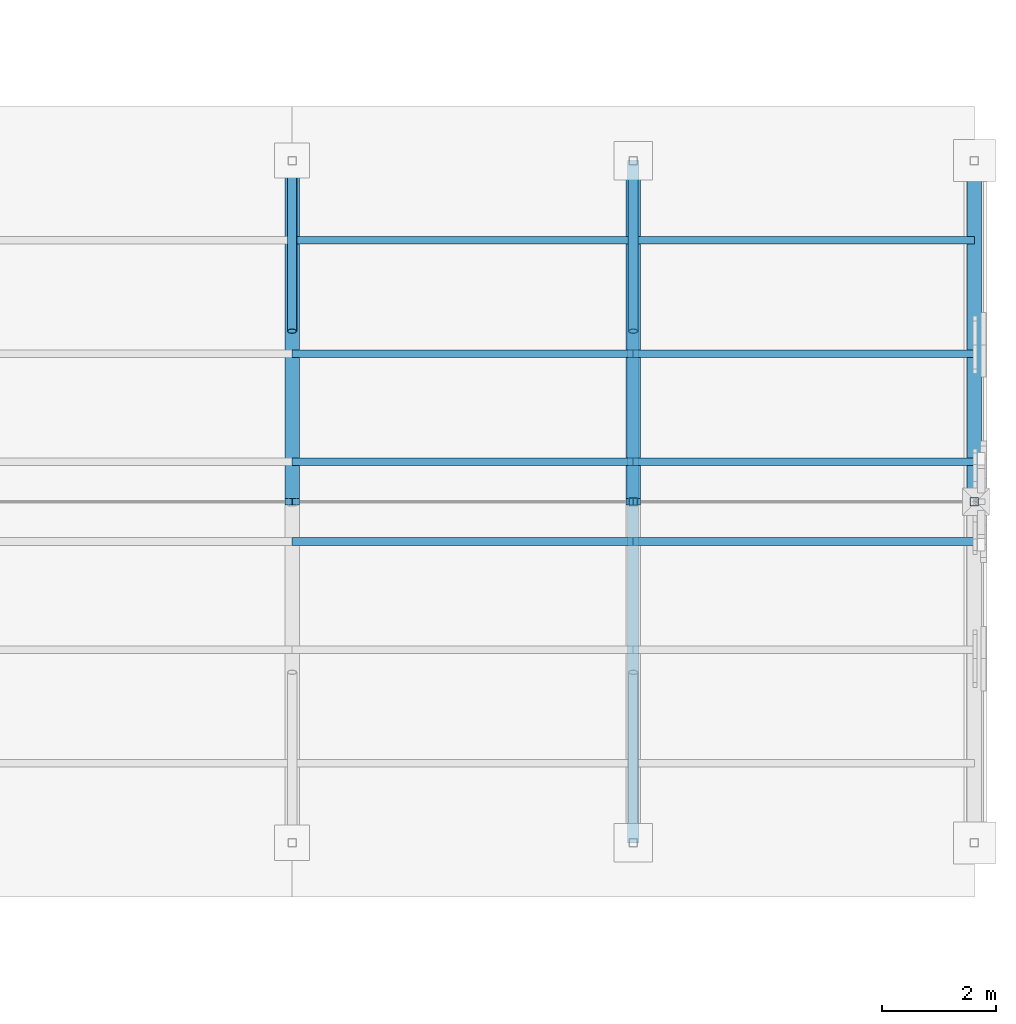
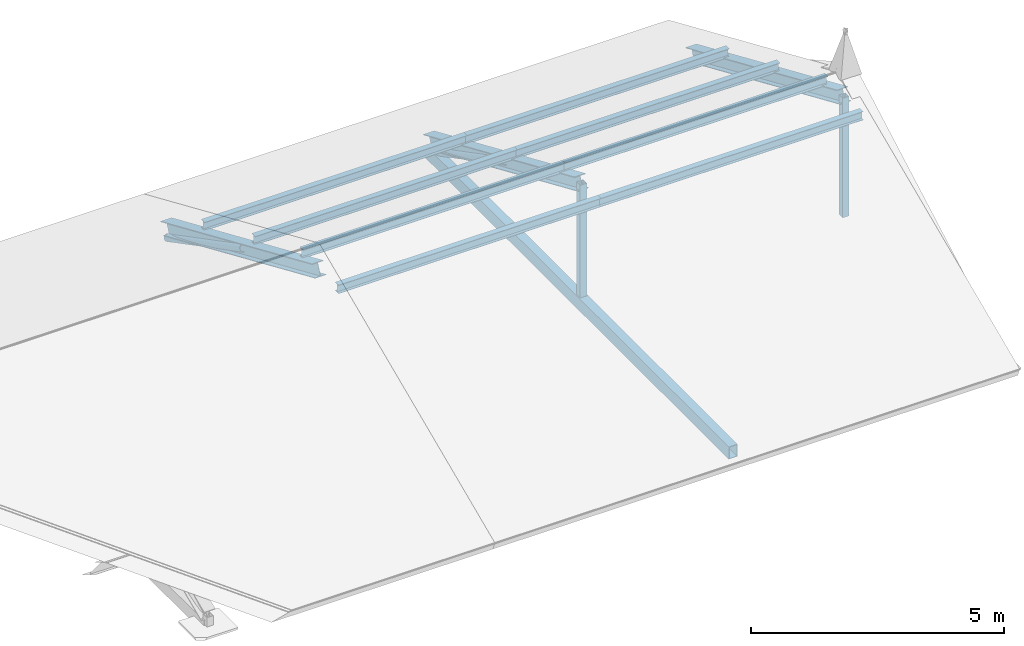
# One storey, part 30 of 59: 16 members.
"""IFC4 building model written with IfcOpenShell, lengths in metres."""

import ifcopenshell
import ifcopenshell.guid

model = None  # the IFC model being written
_history = None  # IfcOwnerHistory: only IFC2X3 demands one
_inside = {}  # id of a spatial element -> (the spatial element, [elements in it])
_under = {}  # id of a project, library or spatial element -> (it, [spatial elements below it])
_declared = {}  # id of a project -> (the project, [libraries it declares])
_typed = {}  # id of a type object -> (the type object, [elements of that type])
_made_of = {}  # id of a material, layer set ... -> (it, [elements and type objects made of it])


def new_model(schema):
    """Start an empty IFC model of exactly this schema.

    Asked for "IFC4X3", IfcOpenShell would pick the latest addendum, in which some entities
    have other attributes; the version numbers below select the first issue.
    IFC2X3 requires an IfcOwnerHistory on every rooted entity: one is made here for all.
    """
    global model, _history
    if schema == "IFC4X3":
        model = ifcopenshell.file(schema_version=(4, 3, 0, 0))
    else:
        model = ifcopenshell.file(schema=schema)
    _inside.clear()
    _under.clear()
    _declared.clear()
    _typed.clear()
    _made_of.clear()
    _history = None
    if model.schema == "IFC2X3":
        org = make("IfcOrganization", Name="unknown")
        user = make(
            "IfcPersonAndOrganization",
            ThePerson=make("IfcPerson", FamilyName="unknown"),
            TheOrganization=org,
        )
        app = make(
            "IfcApplication",
            ApplicationDeveloper=org,
            Version="unknown",
            ApplicationFullName="unknown",
            ApplicationIdentifier="unknown",
        )
        _history = make(
            "IfcOwnerHistory",
            OwningUser=user,
            OwningApplication=app,
            ChangeAction="ADDED",
            CreationDate=0,
        )
    return model


def make(cls, **values):
    """One entity of the class cls with the attributes given. An attribute that is None is left unset."""
    return model.create_entity(
        cls, **{name: value for name, value in values.items() if value is not None}
    )


def rooted(cls, **values):
    """An entity with a GlobalId (a new one), such as an element, a storey or a relation."""
    return make(cls, GlobalId=ifcopenshell.guid.new(), OwnerHistory=_history, **values)


def si_unit(unit_type, name, prefix=None):
    """IfcSIUnit, for example si_unit("LENGTHUNIT", "METRE", prefix="MILLI")."""
    return make("IfcSIUnit", UnitType=unit_type, Prefix=prefix, Name=name)


def assignment(units):
    """IfcUnitAssignment: the units of a project."""
    return None if units is None else make("IfcUnitAssignment", Units=units)


def point(xyz):
    """IfcCartesianPoint."""
    return None if xyz is None else make("IfcCartesianPoint", Coordinates=xyz)


def direction(xyz):
    """IfcDirection."""
    return None if xyz is None else make("IfcDirection", DirectionRatios=xyz)


def frame(location, z_axis=None, x_axis=None):
    """IfcAxis2Placement3D, a coordinate frame: its origin and axes. An axis left out is left unset."""
    return make(
        "IfcAxis2Placement3D",
        Location=point(location),
        Axis=direction(z_axis),
        RefDirection=direction(x_axis),
    )


def frame_2d(location, x_axis=None):
    """IfcAxis2Placement2D, a coordinate frame in the plane: its origin and x axis."""
    return make(
        "IfcAxis2Placement2D", Location=point(location), RefDirection=direction(x_axis)
    )


def origin():
    """The frame at (0, 0, 0) with its axes left unset."""
    return frame((0.0, 0.0, 0.0))


def origin_2d():
    """The frame at (0, 0) in the plane with its x axis left unset."""
    return frame_2d((0.0, 0.0))


def place(relative_to, where):
    """IfcLocalPlacement: puts the frame where relative to a parent placement (None: the world)."""
    return make(
        "IfcLocalPlacement", PlacementRelTo=relative_to, RelativePlacement=where
    )


def context(
    kind, dimensions, precision=None, world=None, true_north=None, identifier=None
):
    """IfcGeometricRepresentationContext, for example the 3D "Model" context."""
    return make(
        "IfcGeometricRepresentationContext",
        ContextIdentifier=identifier,
        ContextType=kind,
        CoordinateSpaceDimension=dimensions,
        Precision=precision,
        WorldCoordinateSystem=world,
        TrueNorth=true_north,
    )


def subcontext(parent, identifier, kind, view, scale=None):
    """IfcGeometricRepresentationSubContext, for example "Body" below "Model"."""
    return make(
        "IfcGeometricRepresentationSubContext",
        ContextIdentifier=identifier,
        ContextType=kind,
        ParentContext=parent,
        TargetScale=scale,
        TargetView=view,
    )


def project(units=None, contexts=None):
    """IfcProject with its units and contexts."""
    return rooted(
        "IfcProject",
        Name="project",
        RepresentationContexts=contexts,
        UnitsInContext=assignment(units),
    )


def spatial(cls, under=None, at=None, **own):
    """A site, building, storey or space (cls), placed at a placement, below another one or the project."""
    s = rooted(cls, ObjectPlacement=at, **own)
    if under is not None:
        _under.setdefault(under.id(), (under, []))[1].append(s)
    return s


def profile(cls, at=None, kind="AREA", **sizes):
    """A parametric profile (cls). Its sizes go by their IFC names, for example OverallWidth=200.0."""
    return make(cls, ProfileType=kind, Position=at, **sizes)


def hollow_rectangle(**sizes):
    """IfcRectangleHollowProfileDef."""
    return profile("IfcRectangleHollowProfileDef", **sizes)


def hollow_circle(**sizes):
    """IfcCircleHollowProfileDef."""
    return profile("IfcCircleHollowProfileDef", **sizes)


def i_section(**sizes):
    """IfcIShapeProfileDef."""
    return profile("IfcIShapeProfileDef", **sizes)


def extrude(swept, where, along, depth):
    """IfcExtrudedAreaSolid: the profile swept, set in the frame where, extruded along a direction by depth."""
    return make(
        "IfcExtrudedAreaSolid",
        SweptArea=swept,
        Position=where,
        ExtrudedDirection=direction(along),
        Depth=depth,
    )


def shape(context_of_items, identifier, shape_type, items):
    """IfcShapeRepresentation: the items that make up one representation, for example the "Body"."""
    return make(
        "IfcShapeRepresentation",
        ContextOfItems=context_of_items,
        RepresentationIdentifier=identifier,
        RepresentationType=shape_type,
        Items=items,
    )


def material(Name=None, Category=None):
    """IfcMaterial."""
    return make("IfcMaterial", Name=Name, Category=Category)


def material_profile(
    of_material, cross_section, Name=None, Category=None, Priority=None
):
    """IfcMaterialProfile: a cross section and its material."""
    return make(
        "IfcMaterialProfile",
        Name=Name,
        Material=of_material,
        Profile=cross_section,
        Priority=Priority,
        Category=Category,
    )


def profile_set(profiles, Name=None, composite=None):
    """IfcMaterialProfileSet."""
    return make(
        "IfcMaterialProfileSet",
        Name=Name,
        MaterialProfiles=profiles,
        CompositeProfile=composite,
    )


def made_of(thing, what):
    """Note that an element or type object is made of a material, layer set ...; save() writes the relation."""
    if what is not None:
        _made_of.setdefault(what.id(), (what, []))[1].append(thing)
    return thing


def type_object(cls, material=None, **own):
    """A type object (cls), such as IfcWallType, which elements share."""
    return made_of(rooted(cls, **own), material)


def element(
    cls,
    number,
    at=None,
    inside=None,
    cuts=None,
    type_object=None,
    material=None,
    context=None,
    identifier="Body",
    shape_type=None,
    held_by="IfcProductDefinitionShape",
    body=None,
    shapes=None,
    **own,
):
    """One element of the class cls, such as IfcWall. Its Tag is "e" and its number.

    at: its placement. inside: the storey or other place that contains it. cuts: it is an
    opening in that element (IfcRelVoidsElement). A single representation is given by context,
    identifier, shape_type and body (its items); several are given by shapes. held_by: the class
    of the entity that holds the representations. save() writes the other relations.
    """
    e = rooted(cls, Tag="e%d" % number, ObjectPlacement=at, **own)
    if body is not None:
        shapes = [shape(context, identifier, shape_type, body)]
    if shapes is not None:
        e.Representation = make(held_by, Representations=shapes)
    if inside is not None:
        _inside.setdefault(inside.id(), (inside, []))[1].append(e)
    if cuts is not None:
        rooted(
            "IfcRelVoidsElement", RelatingBuildingElement=cuts, RelatedOpeningElement=e
        )
    if type_object is not None:
        _typed.setdefault(type_object.id(), (type_object, []))[1].append(e)
    return made_of(e, material)


def aggregate(whole, parts):
    """IfcRelAggregates: a whole, such as a stair, and the parts it consists of."""
    return rooted("IfcRelAggregates", RelatingObject=whole, RelatedObjects=parts)


def save(model, path):
    """Write the relations noted so far, then the file.

    IfcRelAggregates (storeys below a building ...), IfcRelContainedInSpatialStructure (elements
    in a storey), IfcRelDefinesByType, IfcRelAssociatesMaterial and IfcRelDeclares: one each for
    every whole, place, type object, material and project.
    """
    for whole, parts in _under.values():
        aggregate(whole, parts)
    for where, things in _inside.values():
        rooted(
            "IfcRelContainedInSpatialStructure",
            RelatedElements=things,
            RelatingStructure=where,
        )
    for kind, things in _typed.values():
        rooted("IfcRelDefinesByType", RelatedObjects=things, RelatingType=kind)
    for what, things in _made_of.values():
        rooted("IfcRelAssociatesMaterial", RelatedObjects=things, RelatingMaterial=what)
    for by, libraries in _declared.values():
        rooted("IfcRelDeclares", RelatingContext=by, RelatedDefinitions=libraries)
    model.write(path)


model = new_model("IFC4")

# Units and contexts
model_context = context("Model", 3, precision=1e-05, world=origin(), true_north=direction((0.0, 1.0)))
body_context = subcontext(model_context, "Body", "Model", "MODEL_VIEW")
ifc_project = project(units=[si_unit("LENGTHUNIT", "METRE"), si_unit("AREAUNIT", "SQUARE_METRE"), si_unit("VOLUMEUNIT", "CUBIC_METRE"), si_unit("PLANEANGLEUNIT", "RADIAN"), si_unit("MASSUNIT", "GRAM", prefix="KILO")], contexts=[model_context])

# Site, building, storey
site_placement = place(None, origin())
site = spatial("IfcSite", under=ifc_project, at=site_placement, CompositionType="ELEMENT")
building_placement = place(site_placement, origin())
building = spatial("IfcBuilding", under=site, at=building_placement, Name="Cumevento Cable Car Station", CompositionType="ELEMENT")
storey_placement = place(building_placement, frame((0.0, 0.0, 18.0)))
storey = spatial("IfcBuildingStorey", under=building, at=storey_placement, Name="L05", CompositionType="ELEMENT", Elevation=18.0)

# Members
ifc_material_1 = material(Name="Steel ASTM A572 Grade 50", Category="steel")
ifc_material_profile_1 = material_profile(ifc_material_1, hollow_circle(Radius=0.084228515625, WallThickness=0.010009765625, at=origin_2d()), Name="CHS168.3x10.0")
ifc_profile_set_1 = profile_set([ifc_material_profile_1], Name="Steel ASTM A572 Grade 50")
member_type_1 = type_object("IfcMemberType", Name="Framing Brace TD-02 CHS168.3x10.0", PredefinedType="BRACE", material=ifc_profile_set_1)
for number, where, z_axis, x_axis, name in (
    (1, (154.0, 45.0, 0.02001953125), (0.0, -0.886677465101, 0.462388443715), (1.0, 0.0, 0.0), "Cabin Garage Truss Web Brace #381"),
    (2, (160.0, 45.0, 0.02001953125), (0.0, -0.886677465101, 0.462388443715), (1.0, 0.0, 0.0), "Cabin Garage Truss Web Brace #389"),
):
    element("IfcMember", number, at=place(storey_placement, frame(where, z_axis=z_axis, x_axis=x_axis)), inside=storey, type_object=member_type_1, Name=name, PredefinedType="BRACE", context=body_context, shape_type="SweptSolid", body=[
        extrude(hollow_circle(Radius=0.084228515625, WallThickness=0.010009765625, at=origin_2d()), origin(), (0.0, 0.0, 1.0), 3.38330078125),
    ])
ifc_material_2 = material(Name="Steel ASTM A572 Grade 50", Category="steel")
ifc_material_profile_2 = material_profile(ifc_material_2, i_section(OverallWidth=0.25390625, OverallDepth=0.305908203125, WebThickness=0.0087890625, FlangeThickness=0.0146484375, at=origin_2d()), Name="W310x79.0")
ifc_profile_set_2 = profile_set([ifc_material_profile_2], Name="Steel ASTM A572 Grade 50")
member_type_2 = type_object("IfcMemberType", Name="Framing Chord TC-03 W310x79.0", PredefinedType="CHORD", material=ifc_profile_set_2)
for number, where, z_axis, x_axis, name in (
    (3, (154.0, 39.0, 2.888916015625), (0.0, 0.917059377477, -0.398750671701), (-1.0, 0.0, 0.0), "Cabin Garage Truss Top Chord #383"),
    (4, (160.0, 39.0, 2.888916015625), (0.0, 0.917059377477, -0.398750671701), (-1.0, 0.0, 0.0), "Cabin Garage Truss Top Chord #391"),
    (5, (166.0, 39.0, 2.888916015625), (0.0, 0.917059377477, -0.398750671701), (-1.0, 0.0, 0.0), "Cabin Garage Truss Top Chord #396"),
):
    element("IfcMember", number, at=place(storey_placement, frame(where, z_axis=z_axis, x_axis=x_axis)), inside=storey, type_object=member_type_2, Name=name, PredefinedType="CHORD", context=body_context, shape_type="SweptSolid", body=[
        extrude(i_section(OverallWidth=0.25390625, OverallDepth=0.305908203125, WebThickness=0.0087890625, FlangeThickness=0.0146484375, at=origin_2d()), origin(), (0.0, 0.0, 1.0), 6.542724609375),
    ])
ifc_material_3 = material(Name="Steel ASTM A572 Grade 50", Category="steel")
ifc_material_profile_3 = material_profile(ifc_material_3, hollow_rectangle(XDim=0.199951171875, YDim=0.300048828125, WallThickness=0.012451171875, at=origin_2d()), Name="HSS300x200x12.5")
ifc_profile_set_3 = profile_set([ifc_material_profile_3], Name="Steel ASTM A572 Grade 50")
member_type_3 = type_object("IfcMemberType", Name="Framing Chord TC-04 HSS300x200x12.5", PredefinedType="CHORD", material=ifc_profile_set_3)
member_1_placement = place(storey_placement, frame((160.0, 33.0, 0.02001953125), z_axis=(0.0, 1.0, 0.0), x_axis=(-1.0, 0.0, 0.0)))
element("IfcMember", 6, at=member_1_placement, inside=storey, type_object=member_type_3, Name="Cabin Garage Truss Bottom Tie Chord #386", PredefinedType="CHORD", context=body_context, shape_type="SweptSolid", body=[
    extrude(hollow_rectangle(XDim=0.199951171875, YDim=0.300048828125, WallThickness=0.012451171875, at=origin_2d()), origin(), (0.0, 0.0, 1.0), 12.0),
])
ifc_material_4 = material(Name="Steel ASTM A572 Grade 50", Category="steel")
ifc_material_profile_4 = material_profile(ifc_material_4, hollow_rectangle(XDim=0.14990234375, YDim=0.14990234375, WallThickness=0.010009765625, at=origin_2d()), Name="HSS150x150x10.0")
ifc_profile_set_4 = profile_set([ifc_material_profile_4], Name="Steel ASTM A572 Grade 50")
member_type_4 = type_object("IfcMemberType", Name="Framing Post TD-04 HSS150x150x10.0", PredefinedType="POST", material=ifc_profile_set_4)
member_2_placement = place(storey_placement, frame((160.0, 39.0, 0.02001953125), z_axis=(0.0, 0.0, 1.0), x_axis=(1.0, 0.0, 0.0)))
element("IfcMember", 7, at=member_2_placement, inside=storey, type_object=member_type_4, Name="Cabin Garage Truss King Post #387", PredefinedType="POST", context=body_context, shape_type="SweptSolid", body=[
    extrude(hollow_rectangle(XDim=0.14990234375, YDim=0.14990234375, WallThickness=0.010009765625, at=origin_2d()), origin(), (0.0, 0.0, 1.0), 2.868896484375),
])
member_3_placement = place(storey_placement, frame((166.0, 39.0, 0.0), z_axis=(0.0, 0.0, 1.0), x_axis=(1.0, 0.0, 0.0)))
element("IfcMember", 8, at=member_3_placement, inside=storey, type_object=member_type_4, Name="Cabin Garage Gable Ridge Post #394", PredefinedType="POST", context=body_context, shape_type="SweptSolid", body=[
    extrude(hollow_rectangle(XDim=0.14990234375, YDim=0.14990234375, WallThickness=0.010009765625, at=origin_2d()), origin(), (0.0, 0.0, 1.0), 2.888916015625),
])
ifc_material_5 = material(Name="Steel ASTM A572 Grade 50", Category="steel")
ifc_material_profile_5 = material_profile(ifc_material_5, i_section(OverallWidth=0.133056640625, OverallDepth=0.20703125, WebThickness=0.005859375, FlangeThickness=0.00830078125, at=origin_2d()), Name="W200x26.6")
ifc_profile_set_5 = profile_set([ifc_material_profile_5], Name="Steel ASTM A572 Grade 50")
member_type_5 = type_object("IfcMemberType", Name="Framing Purlin PR-02 W200x26.6", PredefinedType="PURLIN", material=ifc_profile_set_5)
for number, where, z_axis, x_axis, name in (
    (9, (154.0, 38.300048828125, 2.865234375), (1.0, 0.0, 0.0), (0.0, 1.0, 0.0), "Cabin Garage Purlin #435"),
    (10, (154.0, 39.699951171875, 2.865234375), (1.0, 0.0, 0.0), (0.0, 1.0, 0.0), "Cabin Garage Purlin #436"),
    (11, (154.0, 41.60009765625, 2.039306640625), (1.0, 0.0, 0.0), (0.0, 1.0, 0.0), "Cabin Garage Purlin #437"),
    (12, (154.0, 43.60009765625, 1.169677734375), (1.0, 0.0, 0.0), (0.0, 1.0, 0.0), "Cabin Garage Purlin #438"),
    (13, (160.0, 38.300048828125, 2.865234375), (1.0, 0.0, 0.0), (0.0, 1.0, 0.0), "Cabin Garage Purlin #441"),
    (14, (160.0, 39.699951171875, 2.865234375), (1.0, 0.0, 0.0), (0.0, 1.0, 0.0), "Cabin Garage Purlin #442"),
    (15, (160.0, 41.60009765625, 2.039306640625), (1.0, 0.0, 0.0), (0.0, 1.0, 0.0), "Cabin Garage Purlin #443"),
    (16, (160.0, 43.60009765625, 1.169677734375), (1.0, 0.0, 0.0), (0.0, 1.0, 0.0), "Cabin Garage Purlin #444"),
):
    element("IfcMember", number, at=place(storey_placement, frame(where, z_axis=z_axis, x_axis=x_axis)), inside=storey, type_object=member_type_5, Name=name, PredefinedType="PURLIN", context=body_context, shape_type="SweptSolid", body=[
        extrude(i_section(OverallWidth=0.133056640625, OverallDepth=0.20703125, WebThickness=0.005859375, FlangeThickness=0.00830078125, at=origin_2d()), origin(), (0.0, 0.0, 1.0), 6.0),
    ])

save(model, "model.ifc")
